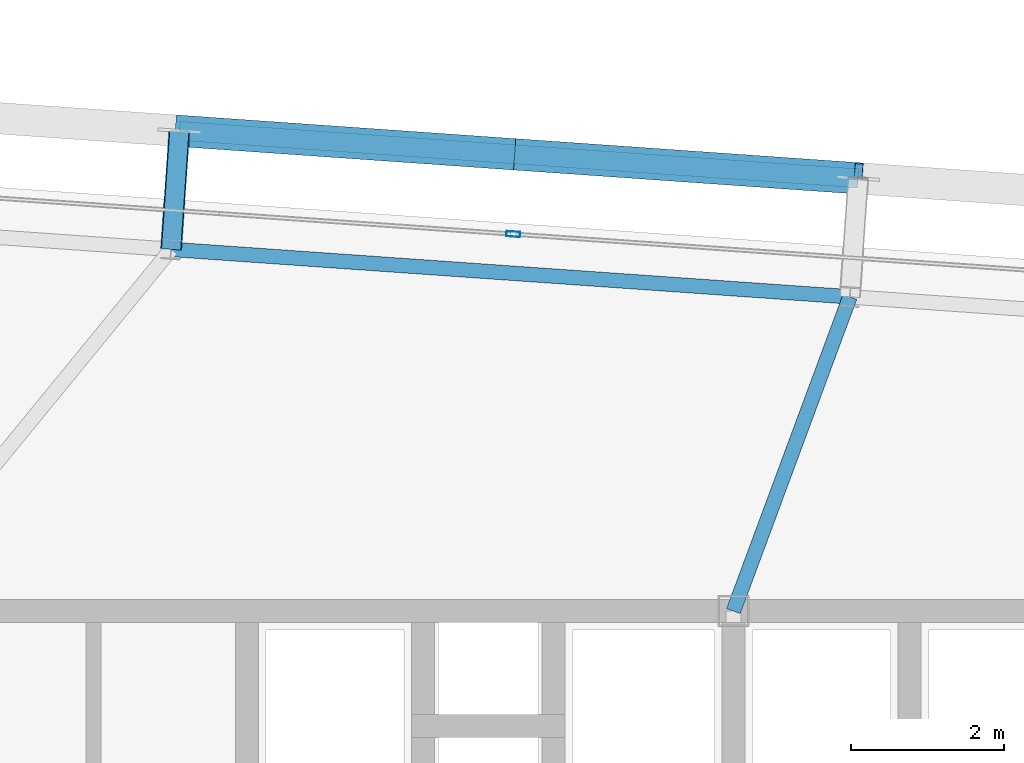
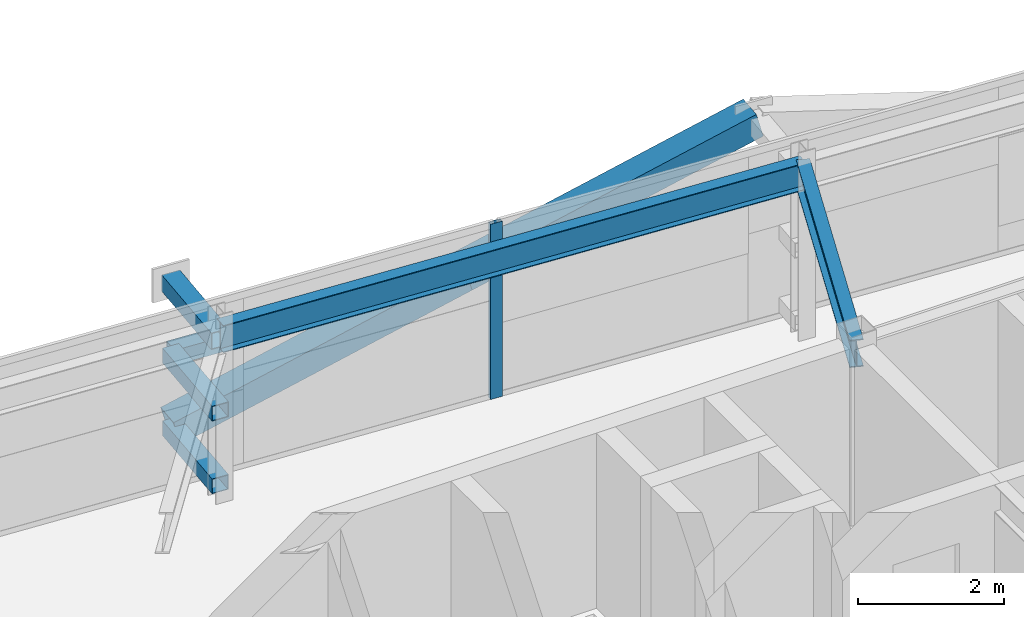
# One storey, part 22 of 39: 7 members, 2 beams, 1 element without a shape of its own.
"""IFC4 building model written with IfcOpenShell, lengths in metres."""

from ifc_helpers import new_model, si_unit, direction, frame, origin, origin_2d, place, context, subcontext, project, spatial, hollow_rectangle, i_section, extrude, source, transform, mapped, material, layer, layer_set, material_profile, profile_set, type_object, element, aggregate, save


model = new_model("IFC4")

# Units and contexts
model_context = context("Model", 3, precision=1e-05, world=origin(), true_north=direction((0.0, 1.0)))
body_context = subcontext(model_context, "Body", "Model", "MODEL_VIEW")
ifc_project = project(units=[si_unit("LENGTHUNIT", "METRE"), si_unit("AREAUNIT", "SQUARE_METRE"), si_unit("VOLUMEUNIT", "CUBIC_METRE"), si_unit("PLANEANGLEUNIT", "RADIAN"), si_unit("MASSUNIT", "GRAM", prefix="KILO")], contexts=[model_context])

# Site, building, storey
site_placement = place(None, origin())
site = spatial("IfcSite", under=ifc_project, at=site_placement, CompositionType="ELEMENT")
building_placement = place(site_placement, origin())
building = spatial("IfcBuilding", under=site, at=building_placement, Name="Taldren Reach Tower", CompositionType="ELEMENT")
storey_placement = place(building_placement, frame((0.0, 0.0, 133.0)))
storey = spatial("IfcBuildingStorey", under=building, at=storey_placement, Name="L40", CompositionType="ELEMENT", Elevation=133.0)

# Members
ifc_material_1 = material(Name="Steel Gr 450 (C450L0)", Category="steel")
ifc_material_profile_1 = material_profile(ifc_material_1, hollow_rectangle(XDim=0.27490234375, YDim=0.27490234375, WallThickness=0.00927734375, at=origin_2d()), Name="275x275x9.3SHS")
ifc_profile_set_1 = profile_set([ifc_material_profile_1], Name="Steel Gr 450 (C450L0)")
member_type_1 = type_object("IfcMemberType", Name="MB-TIE273", PredefinedType="STRUT", material=ifc_profile_set_1)
shared_shape_1 = source(origin(), body_context, "Body", "SweptSolid", [
    extrude(hollow_rectangle(XDim=0.27490234375, YDim=0.27490234375, WallThickness=0.00927734375, at=origin_2d()), origin(), (0.0, 0.0, 1.0), 1.5498046875),
])
member_1_placement = place(storey_placement, frame((31.861328125, 36.719970703125, 2.64990234375), z_axis=(0.069780535098, 0.997562367434, 0.0), x_axis=(-0.997562367434, 0.069780535098, 0.0)))
element("IfcMember", 1, at=member_1_placement, inside=storey, type_object=member_type_1, Name="Exoskeleton diaphragm tie strut B3-N3 L40", PredefinedType="STRUT", context=body_context, shape_type="MappedRepresentation", body=[
    mapped(shared_shape_1, transform((0.0, 0.0, 0.0), scale=1.0)),
])
ifc_material_2 = material(Name="Steel Gr 350 (C350L0)", Category="steel")
ifc_material_profile_2 = material_profile(ifc_material_2, hollow_rectangle(XDim=0.25, YDim=0.25, WallThickness=0.010009765625, at=origin_2d()), Name="250x250x10.0SHS")
ifc_profile_set_2 = profile_set([ifc_material_profile_2], Name="Steel Gr 350 (C350L0)")
member_type_2 = type_object("IfcMemberType", Name="MB-POST250", PredefinedType="POST", material=ifc_profile_set_2)
shared_shape_2 = source(origin(), body_context, "Body", "SweptSolid", [
    extrude(hollow_rectangle(XDim=0.25, YDim=0.25, WallThickness=0.010009765625, at=origin_2d()), origin(), (0.0, 0.0, 1.0), 1.5498046875),
])
for number, where, z_axis, x_axis, name in (
    (2, (31.861328125, 36.719970703125, 0.219970703125), (0.069780535098, 0.997562367434, 0.0), (-0.997562367434, 0.069780535098, 0.0), "Exoskeleton base diaphragm tie strut B3-N3 L40"),
    (3, (31.861328125, 36.719970703125, 1.43505859375), (0.069780535098, 0.997562367434, 0.0), (-0.997562367434, 0.069780535098, 0.0), "Exoskeleton mid-tier diaphragm tie B3-N3 L40"),
):
    element("IfcMember", number, at=place(storey_placement, frame(where, z_axis=z_axis, x_axis=x_axis)), inside=storey, type_object=member_type_2, Name=name, PredefinedType="POST", context=body_context, shape_type="MappedRepresentation", body=[
        mapped(shared_shape_2, transform((0.0, 0.0, 0.0), scale=1.0)),
    ])

# Beams
ifc_material_3 = material(Name="Steel Gr 350 (350PLUS)", Category="steel")
ifc_material_profile_3 = material_profile(ifc_material_3, i_section(OverallWidth=0.18994140625, OverallDepth=0.4541015625, WebThickness=0.008544921875, FlangeThickness=0.0126953125, at=origin_2d()), Name="460UB67.1")
ifc_profile_set_3 = profile_set([ifc_material_profile_3], Name="Steel Gr 350 (350PLUS)")
beam_type_1 = type_object("IfcBeamType", Name="SP-UB460B", PredefinedType="SPANDREL", material=ifc_profile_set_3)
shared_shape_3 = source(origin(), body_context, "Body", "SweptSolid", [
    extrude(i_section(OverallWidth=0.18994140625, OverallDepth=0.4541015625, WebThickness=0.008544921875, FlangeThickness=0.0126953125, at=origin_2d()), origin(), (0.0, 0.0, 1.0), 8.880126953125),
])
beam_1_placement = place(storey_placement, frame((40.7197265625, 36.100341796875, 2.702880859375), z_axis=(-0.997562566276, 0.06977769246, 0.0), x_axis=(-0.06977769246, -0.997562566276, 0.0)))
element("IfcBeam", 4, at=beam_1_placement, inside=storey, type_object=beam_type_1, Name="Perimeter spandrel B3 N4-N3 L40", PredefinedType="SPANDREL", context=body_context, shape_type="MappedRepresentation", body=[
    mapped(shared_shape_3, transform((0.0, 0.0, 0.0), scale=1.0)),
])
ifc_material_profile_4 = material_profile(ifc_material_3, i_section(OverallWidth=0.19091796875, OverallDepth=0.4599609375, WebThickness=0.010009765625, FlangeThickness=0.01611328125, at=origin_2d()), Name="460UB82.1")
ifc_profile_set_4 = profile_set([ifc_material_profile_4], Name="Steel Gr 350 (350PLUS)")
beam_type_2 = type_object("IfcBeamType", Name="BM-UB460A", PredefinedType="BEAM", material=ifc_profile_set_4)
shared_shape_4 = source(origin(), body_context, "Body", "SweptSolid", [
    extrude(i_section(OverallWidth=0.19091796875, OverallDepth=0.4599609375, WebThickness=0.010009765625, FlangeThickness=0.01611328125, at=origin_2d()), origin(), (0.0, 0.0, 1.0), 4.373046875),
])
beam_2_placement = place(storey_placement, frame((39.199951171875, 32.0, 2.699951171875), z_axis=(0.347541638975, 0.937664550454, 0.0), x_axis=(-0.937664550454, 0.347541638975, 0.0)))
element("IfcBeam", 5, at=beam_2_placement, inside=storey, type_object=beam_type_2, Name="Primary floor girder B3-N4 L40", PredefinedType="BEAM", context=body_context, shape_type="MappedRepresentation", body=[
    mapped(shared_shape_4, transform((0.0, 0.0, 0.0), scale=1.0)),
])

# Members
shared_shape_5 = source(origin(), body_context, "Body", "SweptSolid", [
    extrude(hollow_rectangle(XDim=0.25, YDim=0.25, WallThickness=0.010009765625, at=origin_2d()), origin(), (0.0, 0.0, 1.0), 8.880126953125),
])
member_2_placement = place(storey_placement, frame((31.969482421875, 38.26611328125, 1.43505859375), z_axis=(0.997564479639, -0.069750333063, 0.0), x_axis=(0.069750333063, 0.997564479639, 0.0)))
element("IfcMember", 6, at=member_2_placement, inside=storey, type_object=member_type_2, Name="Exoskeleton mid-height ring chord B3-N3 L40", PredefinedType="POST", context=body_context, shape_type="MappedRepresentation", body=[
    mapped(shared_shape_5, transform((0.0, 0.0, 0.0), scale=1.0)),
])
ifc_material_profile_5 = material_profile(ifc_material_1, hollow_rectangle(XDim=0.409912109375, YDim=0.409912109375, WallThickness=0.01611328125, at=origin_2d()), Name="410x410x16.0SHS")
ifc_profile_set_5 = profile_set([ifc_material_profile_5], Name="Steel Gr 450 (C450L0)")
member_type_3 = type_object("IfcMemberType", Name="MB-EXO406", PredefinedType="BRACE", material=ifc_profile_set_5)
shared_shape_6 = source(origin(), body_context, "Body", "SweptSolid", [
    extrude(hollow_rectangle(XDim=0.409912109375, YDim=0.409912109375, WallThickness=0.01611328125, at=origin_2d()), origin(), (0.0, 0.0, 1.0), 4.603271484375),
])
for number, where, z_axis, x_axis, name in (
    (7, (31.969482421875, 38.26611328125, 0.219970703125), (0.962182351074, -0.067302910567, 0.263961060594), (0.06977769246, 0.997562566276, 0.0), "Exoskeleton Diagrid Brace B3-N3 L40"),
    (8, (36.398681640625, 37.956298828125, 1.43505859375), (0.962199253371, -0.067251055742, 0.263912660389), (0.069722973508, 0.997566392259, 0.0), "Exoskeleton Diagrid Brace B3-N3 L40"),
):
    element("IfcMember", number, at=place(storey_placement, frame(where, z_axis=z_axis, x_axis=x_axis)), inside=storey, type_object=member_type_3, Name=name, PredefinedType="BRACE", context=body_context, shape_type="MappedRepresentation", body=[
        mapped(shared_shape_6, transform((0.0, 0.0, 0.0), scale=1.0)),
    ])

# Curtain wall, member
ifc_material_4 = material(Name="Aluminium and Low-E Glass Unitised System", Category="aluminium")
ifc_layer = layer(ifc_material_4, 0.159912109375)
ifc_layer_set = layer_set([ifc_layer], Name="Aluminium and Low-E Glass Unitised System")
curtain_wall_type = type_object("IfcCurtainWallType", Name="CW-SYS-4", PredefinedType="NOTDEFINED", material=ifc_layer_set)
curtain_wall_placement = place(storey_placement, origin())
curtain_wall = element("IfcCurtainWall", 9, at=curtain_wall_placement, inside=storey, type_object=curtain_wall_type, Name="Unitised curtain wall CW-L40-N", PredefinedType="NOTDEFINED")
ifc_material_5 = material(Name="Anodised Aluminium 6063-T6", Category="aluminium")
ifc_material_profile_6 = material_profile(ifc_material_5, hollow_rectangle(XDim=0.070068359375, YDim=0.179931640625, WallThickness=0.00390625, at=origin_2d()), Name="ALU-180x70x4RHS")
ifc_profile_set_6 = profile_set([ifc_material_profile_6], Name="Anodised Aluminium 6063-T6")
member_type_4 = type_object("IfcMemberType", Name="CW-MUL-180", PredefinedType="MULLION", material=ifc_profile_set_6)
shared_shape_7 = source(origin(), body_context, "Body", "SweptSolid", [
    extrude(hollow_rectangle(XDim=0.070068359375, YDim=0.179931640625, WallThickness=0.00390625, at=origin_2d()), origin(), (0.0, 0.0, 1.0), 2.929931640625),
])
member_3_placement = place(storey_placement, frame((36.326171875, 36.9189453125, 0.0), z_axis=(0.0, 0.0, 1.0), x_axis=(-0.06975651593, -0.99756404731, 0.0)))
member_3 = element("IfcMember", 10, at=member_3_placement, type_object=member_type_4, Name="CW-4 mullion 3", PredefinedType="MULLION", context=body_context, shape_type="MappedRepresentation", body=[
    mapped(shared_shape_7, transform((0.0, 0.0, 0.0), scale=1.0)),
])
aggregate(curtain_wall, [member_3])

save(model, "model.ifc")
